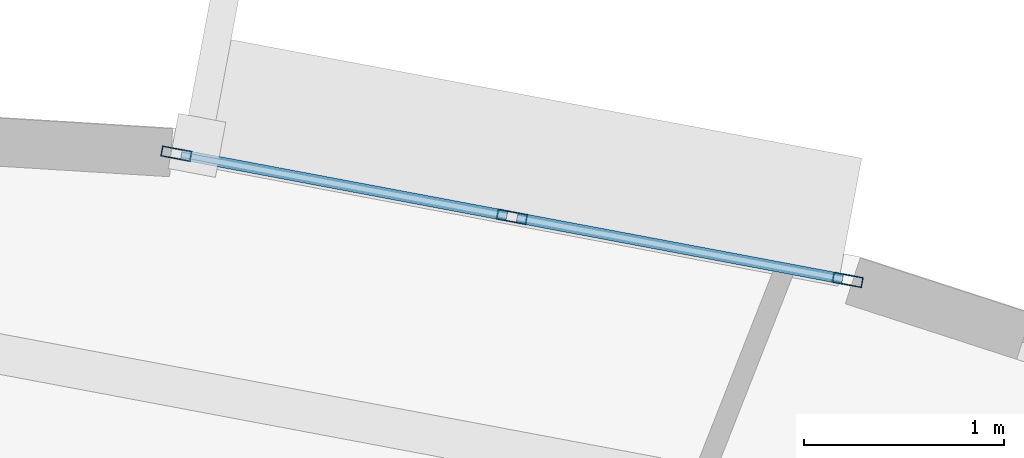
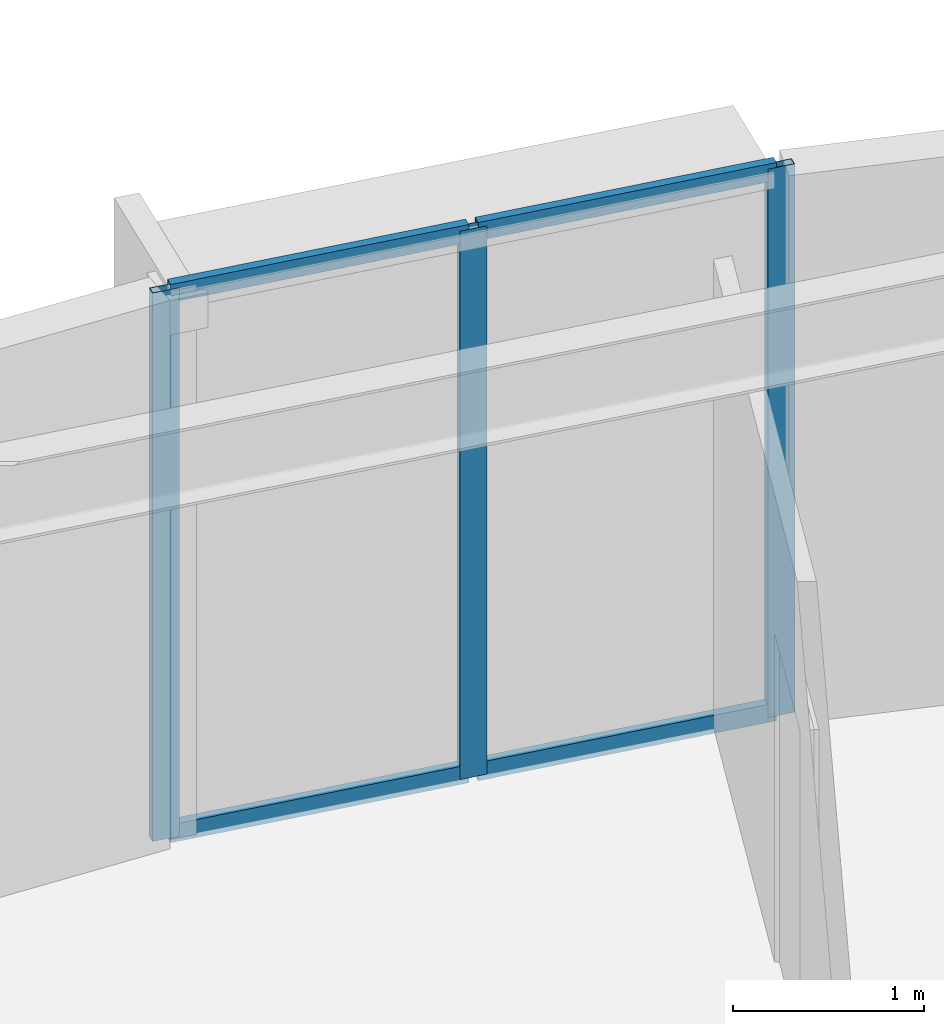
# One storey, part 4 of 17: 7 members, 1 element without a shape of its own.
"""IFC4 building model written with IfcOpenShell, lengths in metres."""

from ifc_helpers import new_model, si_unit, direction, frame, origin, origin_2d, place, context, subcontext, project, spatial, hollow_rectangle, extrude, source, transform, mapped, material, layer, layer_set, material_profile, profile_set, type_object, element, aggregate, save


model = new_model("IFC4")

# Units and contexts
model_context = context("Model", 3, precision=1e-05, world=origin(), true_north=direction((0.0, 1.0)))
body_context = subcontext(model_context, "Body", "Model", "MODEL_VIEW")
ifc_project = project(units=[si_unit("LENGTHUNIT", "METRE"), si_unit("AREAUNIT", "SQUARE_METRE"), si_unit("VOLUMEUNIT", "CUBIC_METRE"), si_unit("PLANEANGLEUNIT", "RADIAN"), si_unit("MASSUNIT", "GRAM", prefix="KILO")], contexts=[model_context])

# Site, building, storey
site_placement = place(None, origin())
site = spatial("IfcSite", under=ifc_project, at=site_placement, CompositionType="ELEMENT")
building_placement = place(site_placement, origin())
building = spatial("IfcBuilding", under=site, at=building_placement, Name="Linh Dai School and Residence Tower", CompositionType="ELEMENT")
storey_placement = place(building_placement, frame((0.0, 0.0, 284.25)))
storey = spatial("IfcBuildingStorey", under=building, at=storey_placement, Name="L70", CompositionType="ELEMENT", Elevation=284.25)

# Curtain wall, members
ifc_material_1 = material(Name="Aluminium Anodised Curtain Wall", Category="aluminium")
ifc_layer = layer(ifc_material_1, 0.14990234375)
ifc_layer_set = layer_set([ifc_layer], Name="Aluminium Anodised Curtain Wall")
curtain_wall_type = type_object("IfcCurtainWallType", Name="CW-SYS-4", PredefinedType="USERDEFINED", material=ifc_layer_set)
curtain_wall_placement = place(storey_placement, origin())
curtain_wall = element("IfcCurtainWall", 1, at=curtain_wall_placement, inside=storey, type_object=curtain_wall_type, Name="L70 CW4 Curtain Wall 09", ObjectType="RIBBON CURTAIN WALL", PredefinedType="USERDEFINED")
ifc_material_2 = material(Name="Aluminium Alloy 6063-T6", Category="aluminium")
ifc_material_profile_1 = material_profile(ifc_material_2, hollow_rectangle(XDim=0.052001953125, YDim=0.14990234375, WallThickness=0.00390625, at=origin_2d()), Name="RHS 150x52x4")
ifc_profile_set_1 = profile_set([ifc_material_profile_1], Name="Aluminium Alloy 6063-T6")
member_type_1 = type_object("IfcMemberType", Name="CW-SYS-4-MUL", PredefinedType="MULLION", material=ifc_profile_set_1)
shared_shape_1 = source(origin(), body_context, "Body", "SweptSolid", [
    extrude(hollow_rectangle(XDim=0.052001953125, YDim=0.14990234375, WallThickness=0.00390625, at=origin_2d()), origin(), (0.0, 0.0, 1.0), 3.5),
])
member_1_placement = place(storey_placement, frame((39.514404296875, 44.1953125, 0.0), z_axis=(0.0, 0.0, 1.0), x_axis=(0.184751197452, 0.982785325002, 0.0)))
member_1 = element("IfcMember", 2, at=member_1_placement, type_object=member_type_1, Name="CW4 mullion 1", PredefinedType="MULLION", context=body_context, shape_type="MappedRepresentation", body=[
    mapped(shared_shape_1, transform((0.0, 0.0, 0.0), x_axis=(1.0, 0.0, 0.0), y_axis=(0.0, 1.0, 0.0), z_axis=(0.0, 0.0, 1.0), scale=1.0)),
])
member_2_placement = place(storey_placement, frame((41.18994140625, 43.880126953125, 0.0), z_axis=(0.0, 0.0, 1.0), x_axis=(0.184751197452, 0.982785325002, 0.0)))
member_2 = element("IfcMember", 3, at=member_2_placement, type_object=member_type_1, Name="CW4 mullion 2", PredefinedType="MULLION", context=body_context, shape_type="MappedRepresentation", body=[
    mapped(shared_shape_1, transform((0.0, 0.0, 0.0), x_axis=(1.0, 0.0, 0.0), y_axis=(0.0, 1.0, 0.0), z_axis=(0.0, 0.0, 1.0), scale=1.0)),
])
member_3_placement = place(storey_placement, frame((42.86572265625, 43.565185546875, 0.0), z_axis=(0.0, 0.0, 1.0), x_axis=(0.184751197452, 0.982785325002, 0.0)))
member_3 = element("IfcMember", 4, at=member_3_placement, type_object=member_type_1, Name="CW4 mullion 3", PredefinedType="MULLION", context=body_context, shape_type="MappedRepresentation", body=[
    mapped(shared_shape_1, transform((0.0, 0.0, 0.0), x_axis=(1.0, 0.0, 0.0), y_axis=(0.0, 1.0, 0.0), z_axis=(0.0, 0.0, 1.0), scale=1.0)),
])
ifc_material_profile_2 = material_profile(ifc_material_2, hollow_rectangle(XDim=0.052001953125, YDim=0.114990234375, WallThickness=0.00390625, at=origin_2d()), Name="RHS 115x52x4")
ifc_profile_set_2 = profile_set([ifc_material_profile_2], Name="Aluminium Alloy 6063-T6")
member_type_2 = type_object("IfcMemberType", Name="CW-SYS-4-TRN", PredefinedType="USERDEFINED", material=ifc_profile_set_2)
shared_shape_2 = source(origin(), body_context, "Body", "SweptSolid", [
    extrude(hollow_rectangle(XDim=0.052001953125, YDim=0.114990234375, WallThickness=0.00390625, at=origin_2d()), origin(), (0.0, 0.0, 1.0), 1.653076171875),
])
member_4_placement = place(storey_placement, frame((39.539794921875, 44.1904296875, 0.02587890625), z_axis=(0.982781778181, -0.184770063797, 0.0), x_axis=(0.184770063797, 0.982781778181, 0.0)))
member_4 = element("IfcMember", 5, at=member_4_placement, type_object=member_type_2, Name="CW4 transom 1.1", ObjectType="TRANSOM", PredefinedType="USERDEFINED", context=body_context, shape_type="MappedRepresentation", body=[
    mapped(shared_shape_2, transform((0.0, 0.0, 0.0), x_axis=(1.0, 0.0, 0.0), y_axis=(0.0, 1.0, 0.0), z_axis=(0.0, 0.0, 1.0), scale=1.0)),
])
member_5_placement = place(storey_placement, frame((39.539794921875, 44.1904296875, 3.47412109375), z_axis=(0.982781778181, -0.184770063797, 0.0), x_axis=(0.184770063797, 0.982781778181, 0.0)))
member_5 = element("IfcMember", 6, at=member_5_placement, type_object=member_type_2, Name="CW4 transom 1.2", ObjectType="TRANSOM", PredefinedType="USERDEFINED", context=body_context, shape_type="MappedRepresentation", body=[
    mapped(shared_shape_2, transform((0.0, 0.0, 0.0), x_axis=(1.0, 0.0, 0.0), y_axis=(0.0, 1.0, 0.0), z_axis=(0.0, 0.0, 1.0), scale=1.0)),
])
member_6_placement = place(storey_placement, frame((41.215576171875, 43.87548828125, 0.02587890625), z_axis=(0.982781778181, -0.184770063797, 0.0), x_axis=(0.184770063797, 0.982781778181, 0.0)))
member_6 = element("IfcMember", 7, at=member_6_placement, type_object=member_type_2, Name="CW4 transom 2.1", ObjectType="TRANSOM", PredefinedType="USERDEFINED", context=body_context, shape_type="MappedRepresentation", body=[
    mapped(shared_shape_2, transform((0.0, 0.0, 0.0), x_axis=(1.0, 0.0, 0.0), y_axis=(0.0, 1.0, 0.0), z_axis=(0.0, 0.0, 1.0), scale=1.0)),
])
member_7_placement = place(storey_placement, frame((41.215576171875, 43.87548828125, 3.47412109375), z_axis=(0.982781778181, -0.184770063797, 0.0), x_axis=(0.184770063797, 0.982781778181, 0.0)))
member_7 = element("IfcMember", 8, at=member_7_placement, type_object=member_type_2, Name="CW4 transom 2.2", ObjectType="TRANSOM", PredefinedType="USERDEFINED", context=body_context, shape_type="MappedRepresentation", body=[
    mapped(shared_shape_2, transform((0.0, 0.0, 0.0), x_axis=(1.0, 0.0, 0.0), y_axis=(0.0, 1.0, 0.0), z_axis=(0.0, 0.0, 1.0), scale=1.0)),
])
aggregate(curtain_wall, [member_1, member_2, member_3, member_4, member_5, member_6, member_7])

save(model, "model.ifc")
